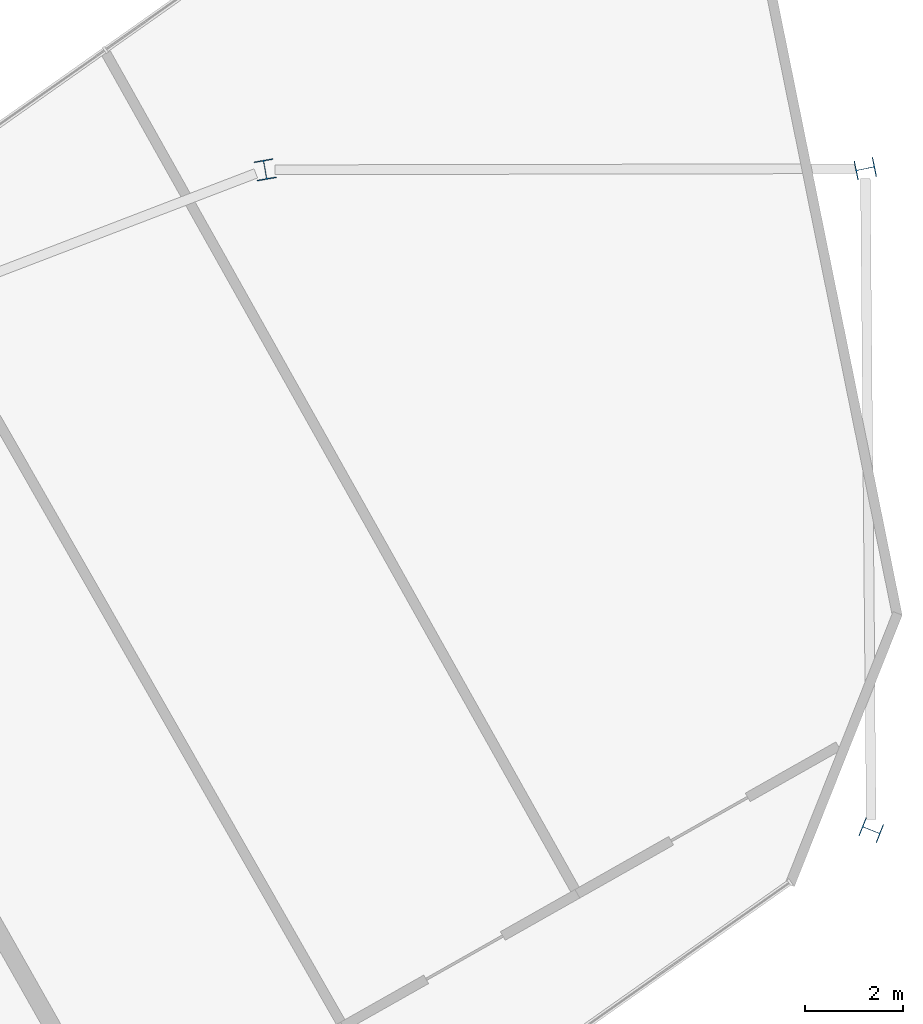
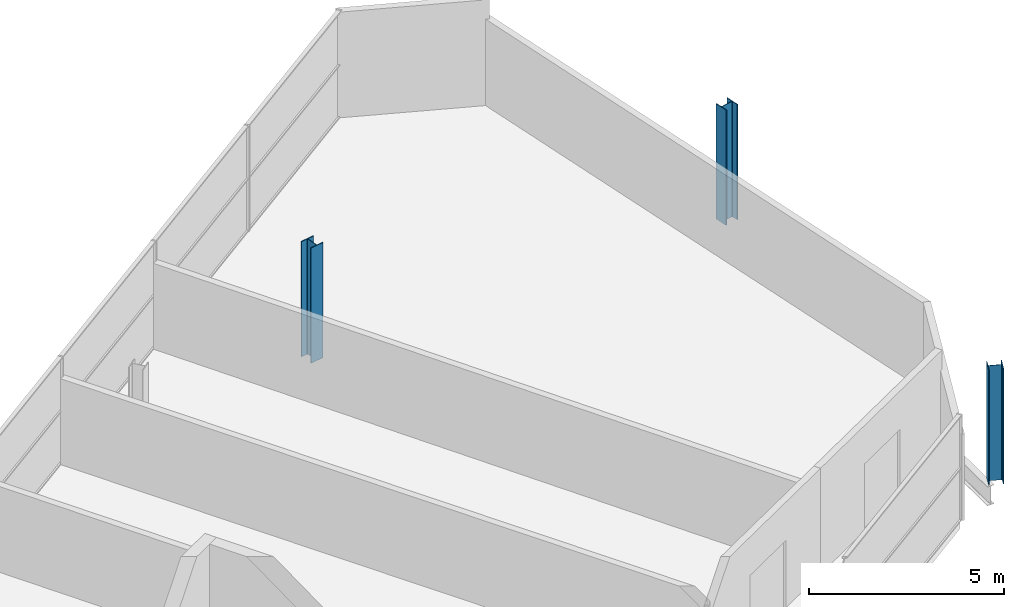
# One storey, part 2 of 10: 3 columns.
"""IFC4 building model written with IfcOpenShell, lengths in metres."""

import ifcopenshell
import ifcopenshell.guid

model = None  # the IFC model being written
_history = None  # IfcOwnerHistory: only IFC2X3 demands one
_inside = {}  # id of a spatial element -> (the spatial element, [elements in it])
_under = {}  # id of a project, library or spatial element -> (it, [spatial elements below it])
_declared = {}  # id of a project -> (the project, [libraries it declares])
_typed = {}  # id of a type object -> (the type object, [elements of that type])
_made_of = {}  # id of a material, layer set ... -> (it, [elements and type objects made of it])


def new_model(schema):
    """Start an empty IFC model of exactly this schema.

    Asked for "IFC4X3", IfcOpenShell would pick the latest addendum, in which some entities
    have other attributes; the version numbers below select the first issue.
    IFC2X3 requires an IfcOwnerHistory on every rooted entity: one is made here for all.
    """
    global model, _history
    if schema == "IFC4X3":
        model = ifcopenshell.file(schema_version=(4, 3, 0, 0))
    else:
        model = ifcopenshell.file(schema=schema)
    _inside.clear()
    _under.clear()
    _declared.clear()
    _typed.clear()
    _made_of.clear()
    _history = None
    if model.schema == "IFC2X3":
        org = make("IfcOrganization", Name="unknown")
        user = make(
            "IfcPersonAndOrganization",
            ThePerson=make("IfcPerson", FamilyName="unknown"),
            TheOrganization=org,
        )
        app = make(
            "IfcApplication",
            ApplicationDeveloper=org,
            Version="unknown",
            ApplicationFullName="unknown",
            ApplicationIdentifier="unknown",
        )
        _history = make(
            "IfcOwnerHistory",
            OwningUser=user,
            OwningApplication=app,
            ChangeAction="ADDED",
            CreationDate=0,
        )
    return model


def make(cls, **values):
    """One entity of the class cls with the attributes given. An attribute that is None is left unset."""
    return model.create_entity(
        cls, **{name: value for name, value in values.items() if value is not None}
    )


def rooted(cls, **values):
    """An entity with a GlobalId (a new one), such as an element, a storey or a relation."""
    return make(cls, GlobalId=ifcopenshell.guid.new(), OwnerHistory=_history, **values)


def si_unit(unit_type, name, prefix=None):
    """IfcSIUnit, for example si_unit("LENGTHUNIT", "METRE", prefix="MILLI")."""
    return make("IfcSIUnit", UnitType=unit_type, Prefix=prefix, Name=name)


def assignment(units):
    """IfcUnitAssignment: the units of a project."""
    return None if units is None else make("IfcUnitAssignment", Units=units)


def point(xyz):
    """IfcCartesianPoint."""
    return None if xyz is None else make("IfcCartesianPoint", Coordinates=xyz)


def direction(xyz):
    """IfcDirection."""
    return None if xyz is None else make("IfcDirection", DirectionRatios=xyz)


def frame(location, z_axis=None, x_axis=None):
    """IfcAxis2Placement3D, a coordinate frame: its origin and axes. An axis left out is left unset."""
    return make(
        "IfcAxis2Placement3D",
        Location=point(location),
        Axis=direction(z_axis),
        RefDirection=direction(x_axis),
    )


def frame_2d(location, x_axis=None):
    """IfcAxis2Placement2D, a coordinate frame in the plane: its origin and x axis."""
    return make(
        "IfcAxis2Placement2D", Location=point(location), RefDirection=direction(x_axis)
    )


def origin():
    """The frame at (0, 0, 0) with its axes left unset."""
    return frame((0.0, 0.0, 0.0))


def origin_2d():
    """The frame at (0, 0) in the plane with its x axis left unset."""
    return frame_2d((0.0, 0.0))


def place(relative_to, where):
    """IfcLocalPlacement: puts the frame where relative to a parent placement (None: the world)."""
    return make(
        "IfcLocalPlacement", PlacementRelTo=relative_to, RelativePlacement=where
    )


def context(
    kind, dimensions, precision=None, world=None, true_north=None, identifier=None
):
    """IfcGeometricRepresentationContext, for example the 3D "Model" context."""
    return make(
        "IfcGeometricRepresentationContext",
        ContextIdentifier=identifier,
        ContextType=kind,
        CoordinateSpaceDimension=dimensions,
        Precision=precision,
        WorldCoordinateSystem=world,
        TrueNorth=true_north,
    )


def subcontext(parent, identifier, kind, view, scale=None):
    """IfcGeometricRepresentationSubContext, for example "Body" below "Model"."""
    return make(
        "IfcGeometricRepresentationSubContext",
        ContextIdentifier=identifier,
        ContextType=kind,
        ParentContext=parent,
        TargetScale=scale,
        TargetView=view,
    )


def project(units=None, contexts=None):
    """IfcProject with its units and contexts."""
    return rooted(
        "IfcProject",
        Name="project",
        RepresentationContexts=contexts,
        UnitsInContext=assignment(units),
    )


def spatial(cls, under=None, at=None, **own):
    """A site, building, storey or space (cls), placed at a placement, below another one or the project."""
    s = rooted(cls, ObjectPlacement=at, **own)
    if under is not None:
        _under.setdefault(under.id(), (under, []))[1].append(s)
    return s


def profile(cls, at=None, kind="AREA", **sizes):
    """A parametric profile (cls). Its sizes go by their IFC names, for example OverallWidth=200.0."""
    return make(cls, ProfileType=kind, Position=at, **sizes)


def i_section(**sizes):
    """IfcIShapeProfileDef."""
    return profile("IfcIShapeProfileDef", **sizes)


def extrude(swept, where, along, depth):
    """IfcExtrudedAreaSolid: the profile swept, set in the frame where, extruded along a direction by depth."""
    return make(
        "IfcExtrudedAreaSolid",
        SweptArea=swept,
        Position=where,
        ExtrudedDirection=direction(along),
        Depth=depth,
    )


def shape(context_of_items, identifier, shape_type, items):
    """IfcShapeRepresentation: the items that make up one representation, for example the "Body"."""
    return make(
        "IfcShapeRepresentation",
        ContextOfItems=context_of_items,
        RepresentationIdentifier=identifier,
        RepresentationType=shape_type,
        Items=items,
    )


def material(Name=None, Category=None):
    """IfcMaterial."""
    return make("IfcMaterial", Name=Name, Category=Category)


def material_profile(
    of_material, cross_section, Name=None, Category=None, Priority=None
):
    """IfcMaterialProfile: a cross section and its material."""
    return make(
        "IfcMaterialProfile",
        Name=Name,
        Material=of_material,
        Profile=cross_section,
        Priority=Priority,
        Category=Category,
    )


def profile_set(profiles, Name=None, composite=None):
    """IfcMaterialProfileSet."""
    return make(
        "IfcMaterialProfileSet",
        Name=Name,
        MaterialProfiles=profiles,
        CompositeProfile=composite,
    )


def made_of(thing, what):
    """Note that an element or type object is made of a material, layer set ...; save() writes the relation."""
    if what is not None:
        _made_of.setdefault(what.id(), (what, []))[1].append(thing)
    return thing


def type_object(cls, material=None, **own):
    """A type object (cls), such as IfcWallType, which elements share."""
    return made_of(rooted(cls, **own), material)


def element(
    cls,
    number,
    at=None,
    inside=None,
    cuts=None,
    type_object=None,
    material=None,
    context=None,
    identifier="Body",
    shape_type=None,
    held_by="IfcProductDefinitionShape",
    body=None,
    shapes=None,
    **own,
):
    """One element of the class cls, such as IfcWall. Its Tag is "e" and its number.

    at: its placement. inside: the storey or other place that contains it. cuts: it is an
    opening in that element (IfcRelVoidsElement). A single representation is given by context,
    identifier, shape_type and body (its items); several are given by shapes. held_by: the class
    of the entity that holds the representations. save() writes the other relations.
    """
    e = rooted(cls, Tag="e%d" % number, ObjectPlacement=at, **own)
    if body is not None:
        shapes = [shape(context, identifier, shape_type, body)]
    if shapes is not None:
        e.Representation = make(held_by, Representations=shapes)
    if inside is not None:
        _inside.setdefault(inside.id(), (inside, []))[1].append(e)
    if cuts is not None:
        rooted(
            "IfcRelVoidsElement", RelatingBuildingElement=cuts, RelatedOpeningElement=e
        )
    if type_object is not None:
        _typed.setdefault(type_object.id(), (type_object, []))[1].append(e)
    return made_of(e, material)


def aggregate(whole, parts):
    """IfcRelAggregates: a whole, such as a stair, and the parts it consists of."""
    return rooted("IfcRelAggregates", RelatingObject=whole, RelatedObjects=parts)


def save(model, path):
    """Write the relations noted so far, then the file.

    IfcRelAggregates (storeys below a building ...), IfcRelContainedInSpatialStructure (elements
    in a storey), IfcRelDefinesByType, IfcRelAssociatesMaterial and IfcRelDeclares: one each for
    every whole, place, type object, material and project.
    """
    for whole, parts in _under.values():
        aggregate(whole, parts)
    for where, things in _inside.values():
        rooted(
            "IfcRelContainedInSpatialStructure",
            RelatedElements=things,
            RelatingStructure=where,
        )
    for kind, things in _typed.values():
        rooted("IfcRelDefinesByType", RelatedObjects=things, RelatingType=kind)
    for what, things in _made_of.values():
        rooted("IfcRelAssociatesMaterial", RelatedObjects=things, RelatingMaterial=what)
    for by, libraries in _declared.values():
        rooted("IfcRelDeclares", RelatingContext=by, RelatedDefinitions=libraries)
    model.write(path)


model = new_model("IFC4")

# Units and contexts
model_context = context("Model", 3, precision=1e-05, world=origin(), true_north=direction((0.0, 1.0)))
body_context = subcontext(model_context, "Body", "Model", "MODEL_VIEW")
ifc_project = project(units=[si_unit("LENGTHUNIT", "METRE"), si_unit("AREAUNIT", "SQUARE_METRE"), si_unit("VOLUMEUNIT", "CUBIC_METRE"), si_unit("PLANEANGLEUNIT", "RADIAN"), si_unit("MASSUNIT", "GRAM", prefix="KILO")], contexts=[model_context])

# Site, building, storey
site_placement = place(None, origin())
site = spatial("IfcSite", under=ifc_project, at=site_placement, CompositionType="ELEMENT")
building_placement = place(site_placement, origin())
building = spatial("IfcBuilding", under=site, at=building_placement, Name="Binnacle Exchange Tower", CompositionType="ELEMENT")
storey_placement = place(building_placement, frame((0.0, 0.0, 364.89990234375)))
storey = spatial("IfcBuildingStorey", under=building, at=storey_placement, Name="L84", CompositionType="ELEMENT", Elevation=364.89990234375)

# Columns
ifc_material = material(Name="Steel S355 (SHN355)", Category="steel")
ifc_material_profile = material_profile(ifc_material, i_section(OverallWidth=0.39990234375, OverallDepth=0.39990234375, WebThickness=0.012939453125, FlangeThickness=0.02099609375, FilletRadius=0.02197265625, at=origin_2d()), Name="H 400x400x13x21")
ifc_profile_set = profile_set([ifc_material_profile], Name="Steel S355 (SHN355)")
column_type = type_object("IfcColumnType", Name="H 400x400x13x21", PredefinedType="COLUMN", material=ifc_profile_set)
for number, where, z_axis, x_axis, name in (
    (1, (-10.760009765625, 46.070556640625, 0.0), (0.0, 0.0, 1.0), (0.369033125724, 0.929416242659, 0.0), "S:COL:MC31:L84"),
    (2, (-10.88232421875, 59.5869140625, 0.0), (0.0, 0.0, 1.0), (-0.198666664019, 0.98006711842, 0.0), "S:COL:MC34:L84"),
    (3, (-23.1455078125, 59.5634765625, 0.0), (0.0, 0.0, 1.0), (0.985345447257, 0.170570658584, 0.0), "S:COL:MC25:L84"),
):
    element("IfcColumn", number, at=place(storey_placement, frame(where, z_axis=z_axis, x_axis=x_axis)), inside=storey, type_object=column_type, Name=name, PredefinedType="COLUMN", context=body_context, shape_type="SweptSolid", body=[
        extrude(i_section(OverallWidth=0.39990234375, OverallDepth=0.39990234375, WebThickness=0.012939453125, FlangeThickness=0.02099609375, FilletRadius=0.02197265625, at=origin_2d()), origin(), (0.0, 0.0, 1.0), 3.60009765625),
    ])

save(model, "model.ifc")
